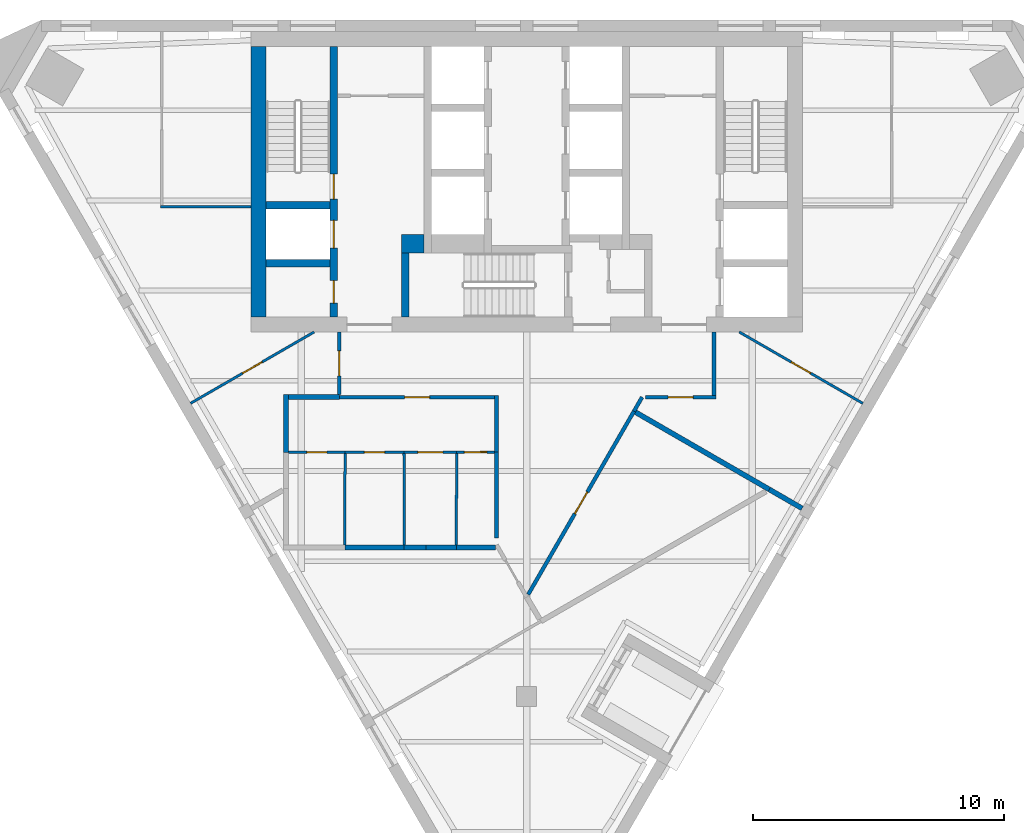
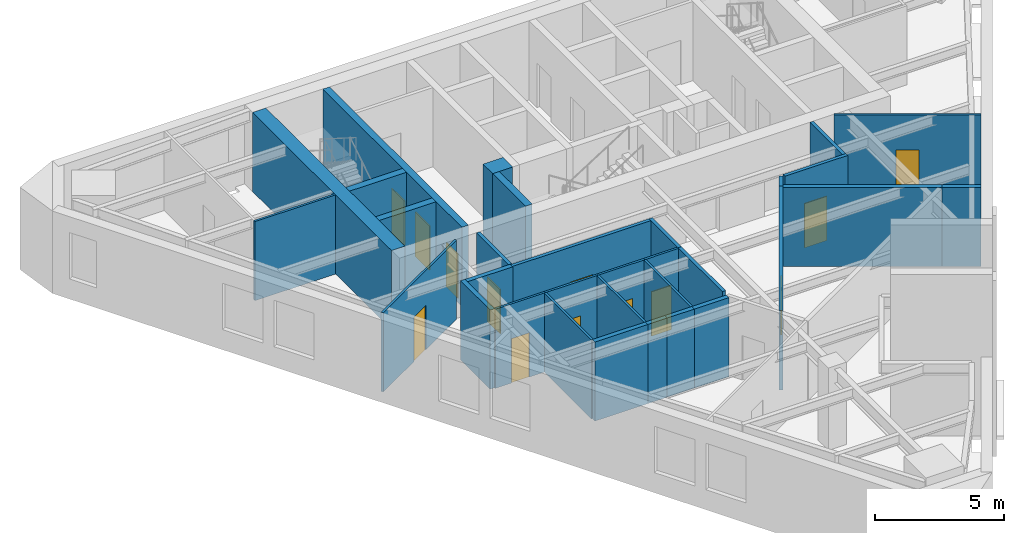
# One storey, part 3 of 7: 32 walls, 13 doors, 13 openings.
"""IFC4 building model written with IfcOpenShell, lengths in metres."""

from ifc_helpers import new_model, si_unit, direction, frame, frame_2d, origin, place, context, subcontext, project, spatial, rectangle, extrude, material, layer, layer_set, type_object, element, fill, save


model = new_model("IFC4")

# Units and contexts
model_context = context("Model", 3, precision=1e-05, world=origin(), true_north=direction((0.0, 1.0)))
body_context = subcontext(model_context, "Body", "Model", "MODEL_VIEW")
ifc_project = project(units=[si_unit("LENGTHUNIT", "METRE"), si_unit("AREAUNIT", "SQUARE_METRE"), si_unit("VOLUMEUNIT", "CUBIC_METRE"), si_unit("PLANEANGLEUNIT", "RADIAN"), si_unit("MASSUNIT", "GRAM", prefix="KILO")], contexts=[model_context])

# Site, building, storey
site_placement = place(None, origin())
site = spatial("IfcSite", under=ifc_project, at=site_placement, CompositionType="ELEMENT")
building_placement = place(site_placement, origin())
building = spatial("IfcBuilding", under=site, at=building_placement, Name="Aloe Facet Convention Tower", CompositionType="ELEMENT")
storey_placement = place(building_placement, frame((0.0, 0.0, 215.300048828125)))
storey = spatial("IfcBuildingStorey", under=building, at=storey_placement, Name="L54", CompositionType="ELEMENT", Elevation=215.300048828125)

# Walls
ifc_material_1 = material(Name="Concrete C50/60", Category="concrete")
ifc_layer_1 = layer(ifc_material_1, 0.300048828125)
ifc_layer_set_1 = layer_set([ifc_layer_1], Name="CR-W-RC300-C5060")
wall_type_1 = type_object("IfcWallType", Name="CR-W-RC300-C5060", PredefinedType="SOLIDWALL", material=ifc_layer_set_1)
for number, where, z_axis, x_axis, name in (
    (1, (69.60009765625, 127.60009765625, 0.0), (0.0, 0.0, 1.0), (1.0, 0.0, 0.0), "Core wall L54-004"),
    (2, (69.60009765625, 125.300048828125, 0.0), (0.0, 0.0, 1.0), (1.0, 0.0, 0.0), "Core wall L54-005"),
):
    element("IfcWall", number, at=place(storey_placement, frame(where, z_axis=z_axis, x_axis=x_axis)), inside=storey, type_object=wall_type_1, Name=name, PredefinedType="SOLIDWALL", context=body_context, shape_type="SweptSolid", body=[
        extrude(rectangle(XDim=2.5498046875, YDim=0.300048828125, at=frame_2d((1.27490234375, 0.0))), origin(), (0.0, 0.0, 1.0), 3.75),
    ])

# Wall, openings, doors
wall_1_placement = place(storey_placement, frame((72.300048828125, 133.949951171875, 0.0), z_axis=(0.0, 0.0, 1.0), x_axis=(0.0, -1.0, 0.0)))
wall_1 = element("IfcWall", 3, at=wall_1_placement, inside=storey, type_object=wall_type_1, Name="Core wall L54-006", PredefinedType="SOLIDWALL", context=body_context, shape_type="SweptSolid", body=[
    extrude(rectangle(XDim=10.800048828125, YDim=0.300048828125, at=frame_2d((5.39990234375, 0.0))), origin(), (0.0, 0.0, 1.0), 3.75),
])
opening_1_placement = place(wall_1_placement, frame((6.949951171875, 0.0, 0.0)))
opening_1 = element("IfcOpeningElement", 4, at=opening_1_placement, cuts=wall_1, Name="Opening LD-FF1-L54", PredefinedType="OPENING", context=body_context, shape_type="SweptSolid", body=[
    extrude(rectangle(XDim=1.10009765625, YDim=2.10009765625, at=frame_2d((0.550048828125, 1.050048828125))), frame((0.0, 0.16015625, 0.0), z_axis=(0.0, -1.0, 0.0), x_axis=(1.0, 0.0, 0.0)), (0.0, 0.0, 1.0), 0.320068359375),
])
opening_2_placement = place(wall_1_placement, frame((9.35009765625, 0.0, 0.0)))
opening_2 = element("IfcOpeningElement", 5, at=opening_2_placement, cuts=wall_1, Name="Opening L54-CD15", PredefinedType="OPENING", context=body_context, shape_type="SweptSolid", body=[
    extrude(rectangle(XDim=0.89990234375, YDim=2.10009765625, at=frame_2d((0.449951171875, 1.050048828125))), frame((0.0, 0.16015625, 0.0), z_axis=(0.0, -1.0, 0.0), x_axis=(1.0, 0.0, 0.0)), (0.0, 0.0, 1.0), 0.320068359375),
])
opening_3_placement = place(wall_1_placement, frame((5.10009765625, 0.0, 0.0)))
opening_3 = element("IfcOpeningElement", 6, at=opening_3_placement, cuts=wall_1, Name="Opening L54-CD16", PredefinedType="OPENING", context=body_context, shape_type="SweptSolid", body=[
    extrude(rectangle(XDim=1.0, YDim=2.10009765625, at=frame_2d((0.5, 1.050048828125))), frame((0.0, 0.16015625, 0.0), z_axis=(0.0, -1.0, 0.0), x_axis=(1.0, 0.0, 0.0)), (0.0, 0.0, 1.0), 0.320068359375),
])
ifc_material_2 = material(Name="Steel fire-resisting door set FD60", Category="steel")
door_type_1 = type_object("IfcDoorType", Name="CR-D-ROOM-900-FD60-SLEFT", OperationType="SINGLE_SWING_LEFT", PredefinedType="DOOR", material=ifc_material_2)
door_1_placement = place(opening_2_placement, origin())
door_1 = element("IfcDoor", 7, at=door_1_placement, inside=storey, type_object=door_type_1, Name="Core door L54-CD15", OperationType="SINGLE_SWING_LEFT", OverallHeight=2.10009765625, OverallWidth=0.89990234375, PredefinedType="DOOR", context=body_context, shape_type="SweptSolid", body=[
    extrude(rectangle(XDim=0.89990234375, YDim=2.10009765625, at=frame_2d((0.449951171875, 1.050048828125))), frame((0.0, 0.02490234375, 0.0), z_axis=(0.0, -1.0, 0.0), x_axis=(1.0, 0.0, 0.0)), (0.0, 0.0, 1.0), 0.050048828125),
])
fill(opening_2, door_1)
ifc_material_3 = material(Name="Steel fire-resisting door set FD120", Category="steel")
door_type_2 = type_object("IfcDoorType", Name="CR-D-STAIR-1000-FD120-SRIGHT", OperationType="SINGLE_SWING_RIGHT", PredefinedType="DOOR", material=ifc_material_3)
door_2_placement = place(opening_3_placement, origin())
door_2 = element("IfcDoor", 8, at=door_2_placement, inside=storey, type_object=door_type_2, Name="Core door L54-CD16", OperationType="SINGLE_SWING_RIGHT", OverallHeight=2.10009765625, OverallWidth=1.0, PredefinedType="DOOR", context=body_context, shape_type="SweptSolid", body=[
    extrude(rectangle(XDim=1.0, YDim=2.10009765625, at=frame_2d((0.5, 1.050048828125))), frame((0.0, 0.02490234375, 0.0), z_axis=(0.0, -1.0, 0.0), x_axis=(1.0, 0.0, 0.0)), (0.0, 0.0, 1.0), 0.050048828125),
])
fill(opening_3, door_2)
ifc_material_4 = material(Name="Stainless steel sliding landing door", Category="steel")
door_type_3 = type_object("IfcDoorType", Name="CR-LD-1100-FD120-_LEFT", OperationType="SLIDING_TO_LEFT", PredefinedType="DOOR", material=ifc_material_4)
door_3_placement = place(opening_1_placement, origin())
door_3 = element("IfcDoor", 9, at=door_3_placement, inside=storey, type_object=door_type_3, Name="Landing door FF1 L54", OperationType="SLIDING_TO_LEFT", OverallHeight=2.10009765625, OverallWidth=1.10009765625, PredefinedType="DOOR", context=body_context, shape_type="SweptSolid", body=[
    extrude(rectangle(XDim=1.10009765625, YDim=2.10009765625, at=frame_2d((0.550048828125, 1.050048828125))), frame((0.0, 0.02490234375, 0.0), z_axis=(0.0, -1.0, 0.0), x_axis=(1.0, 0.0, 0.0)), (0.0, 0.0, 1.0), 0.050048828125),
])
fill(opening_1, door_3)

# Walls
wall_2_placement = place(storey_placement, frame((75.14990234375, 125.699951171875, 0.0), z_axis=(0.0, 0.0, 1.0), x_axis=(0.0, -1.0, 0.0)))
element("IfcWall", 10, at=wall_2_placement, inside=storey, type_object=wall_type_1, Name="Core wall L54-009", PredefinedType="SOLIDWALL", context=body_context, shape_type="SweptSolid", body=[
    extrude(rectangle(XDim=2.550048828125, YDim=0.300048828125, at=frame_2d((1.27490234375, 0.0))), origin(), (0.0, 0.0, 1.0), 3.75),
])
ifc_material_5 = material(Name="Concrete C50/60", Category="concrete")
ifc_layer_2 = layer(ifc_material_5, 0.60009765625)
ifc_layer_set_2 = layer_set([ifc_layer_2], Name="CR-W-RC600-C5060")
wall_type_2 = type_object("IfcWallType", Name="CR-W-RC600-C5060", PredefinedType="SOLIDWALL", material=ifc_layer_set_2)
wall_3_placement = place(storey_placement, frame((69.300048828125, 133.949951171875, 0.0), z_axis=(0.0, 0.0, 1.0), x_axis=(0.0, -1.0, 0.0)))
element("IfcWall", 11, at=wall_3_placement, inside=storey, type_object=wall_type_2, Name="Core wall L54-002", PredefinedType="SOLIDWALL", context=body_context, shape_type="SweptSolid", body=[
    extrude(rectangle(XDim=10.800048828125, YDim=0.60009765625, at=frame_2d((5.39990234375, 0.0))), origin(), (0.0, 0.0, 1.0), 3.75),
])
ifc_material_6 = material(Name="Concrete C50/60", Category="concrete")
ifc_layer_3 = layer(ifc_material_6, 0.75)
ifc_layer_set_3 = layer_set([ifc_layer_3], Name="CR-W-RC750-C5060")
wall_type_3 = type_object("IfcWallType", Name="CR-W-RC750-C5060", PredefinedType="SOLIDWALL", material=ifc_layer_set_3)
wall_4_placement = place(storey_placement, frame((75.0, 126.074951171875, 0.0), z_axis=(0.0, 0.0, 1.0), x_axis=(1.0, 0.0, 0.0)))
element("IfcWall", 12, at=wall_4_placement, inside=storey, type_object=wall_type_3, Name="Core wall L54-008", PredefinedType="SOLIDWALL", context=body_context, shape_type="SweptSolid", body=[
    extrude(rectangle(XDim=0.89990234375, YDim=0.75, at=frame_2d((0.449951171875, 0.0))), origin(), (0.0, 0.0, 1.0), 3.75),
])
ifc_material_7 = material(Name="Gypsum board partition on steel studs", Category="steel")
ifc_layer_4 = layer(ifc_material_7, 0.14990234375)
ifc_layer_set_4 = layer_set([ifc_layer_4], Name="IN-W-CORR")
wall_type_4 = type_object("IfcWallType", Name="IN-W-CORR", PredefinedType="PARTITIONING", material=ifc_layer_set_4)
wall_5_placement = place(storey_placement, frame((78.800048828125, 114.328857421875, 0.0), z_axis=(0.0, 0.0, 1.0), x_axis=(0.0, 1.0, 0.0)))
element("IfcWall", 13, at=wall_5_placement, inside=storey, type_object=wall_type_4, Name="Partition L54-W011", PredefinedType="PARTITIONING", context=body_context, shape_type="SweptSolid", body=[
    extrude(rectangle(XDim=3.43115234375, YDim=0.14990234375, at=frame_2d((1.715576171875, 0.0))), origin(), (0.0, 0.0, 1.0), 3.75),
])
wall_6_placement = place(storey_placement, frame((78.800048828125, 117.760009765625, 0.0), z_axis=(0.0, 0.0, 1.0), x_axis=(0.0, 1.0, 0.0)))
element("IfcWall", 14, at=wall_6_placement, inside=storey, type_object=wall_type_4, Name="Partition L54-W016", PredefinedType="PARTITIONING", context=body_context, shape_type="SweptSolid", body=[
    extrude(rectangle(XDim=2.262939453125, YDim=0.14990234375, at=frame_2d((1.13134765625, 0.0))), origin(), (0.0, 0.0, 1.0), 3.75),
])

# Wall, opening, door
wall_7_placement = place(storey_placement, frame((80.06005859375, 112.074462890625, 0.0), z_axis=(0.0, 0.0, 1.0), x_axis=(0.500005339912, 0.866022320763, 0.0)))
wall_7 = element("IfcWall", 15, at=wall_7_placement, inside=storey, type_object=wall_type_4, Name="Partition L54-W025", PredefinedType="PARTITIONING", context=body_context, shape_type="SweptSolid", body=[
    extrude(rectangle(XDim=8.44189453125, YDim=0.14990234375, at=frame_2d((4.220947265625, 0.0))), origin(), (0.0, 0.0, 1.0), 3.75),
])
opening_4_placement = place(wall_7_placement, frame((3.720947265625, 0.0, 0.0)))
opening_4 = element("IfcOpeningElement", 16, at=opening_4_placement, cuts=wall_7, Name="Opening L54-011", PredefinedType="OPENING", context=body_context, shape_type="SweptSolid", body=[
    extrude(rectangle(XDim=1.0, YDim=2.10009765625, at=frame_2d((0.5, 1.050048828125))), frame((0.0, 0.0849609375, 0.0), z_axis=(0.0, -1.0, 0.0), x_axis=(1.0, 0.0, 0.0)), (0.0, 0.0, 1.0), 0.169921875),
])
ifc_material_8 = material(Name="Timber door FD30S with vision panel", Category="wood")
door_type_4 = type_object("IfcDoorType", Name="IN-OFF-D-ENTRY", OperationType="SINGLE_SWING_LEFT", PredefinedType="DOOR", material=ifc_material_8)
door_4_placement = place(opening_4_placement, origin())
door_4 = element("IfcDoor", 17, at=door_4_placement, inside=storey, type_object=door_type_4, Name="Door L54-011", OperationType="SINGLE_SWING_LEFT", OverallHeight=2.10009765625, OverallWidth=1.0, PredefinedType="DOOR", context=body_context, shape_type="SweptSolid", body=[
    extrude(rectangle(XDim=1.0, YDim=2.10009765625, at=frame_2d((0.5, 1.050048828125))), frame((0.0, 0.02490234375, 0.0), z_axis=(0.0, -1.0, 0.0), x_axis=(1.0, 0.0, 0.0)), (0.0, 0.0, 1.0), 0.050048828125),
])
fill(opening_4, door_4)

# Wall
wall_8_placement = place(storey_placement, frame((84.281005859375, 119.38525390625, 0.0), z_axis=(0.0, 0.0, 1.0), x_axis=(0.499971370958, 0.866041932139, 0.0)))
element("IfcWall", 18, at=wall_8_placement, inside=storey, type_object=wall_type_4, Name="Partition L54-W028", PredefinedType="PARTITIONING", context=body_context, shape_type="SweptSolid", body=[
    extrude(rectangle(XDim=0.65087890625, YDim=0.14990234375, at=frame_2d((0.325439453125, 0.0))), origin(), (0.0, 0.0, 1.0), 3.75),
])

# Wall, opening, door
wall_9_placement = place(storey_placement, frame((72.52490234375, 120.050048828125, 0.0), z_axis=(0.0, 0.0, 1.0), x_axis=(0.0, 1.0, 0.0)))
wall_9 = element("IfcWall", 19, at=wall_9_placement, inside=storey, type_object=wall_type_4, Name="Partition L54-W031", PredefinedType="PARTITIONING", context=body_context, shape_type="SweptSolid", body=[
    extrude(rectangle(XDim=2.5, YDim=0.14990234375, at=frame_2d((1.25, 0.0))), origin(), (0.0, 0.0, 1.0), 3.75),
])
opening_5_placement = place(wall_9_placement, frame((0.75, 0.0, 0.0)))
opening_5 = element("IfcOpeningElement", 20, at=opening_5_placement, cuts=wall_9, Name="Opening L54-009", PredefinedType="OPENING", context=body_context, shape_type="SweptSolid", body=[
    extrude(rectangle(XDim=1.0, YDim=2.10009765625, at=frame_2d((0.5, 1.050048828125))), frame((0.0, 0.0849609375, 0.0), z_axis=(0.0, -1.0, 0.0), x_axis=(1.0, 0.0, 0.0)), (0.0, 0.0, 1.0), 0.169921875),
])
door_5_placement = place(opening_5_placement, origin())
door_5 = element("IfcDoor", 21, at=door_5_placement, inside=storey, type_object=door_type_4, Name="Door L54-009", OperationType="SINGLE_SWING_LEFT", OverallHeight=2.10009765625, OverallWidth=1.0, PredefinedType="DOOR", context=body_context, shape_type="SweptSolid", body=[
    extrude(rectangle(XDim=1.0, YDim=2.10009765625, at=frame_2d((0.5, 1.050048828125))), frame((0.0, 0.02490234375, 0.0), z_axis=(0.0, -1.0, 0.0), x_axis=(1.0, 0.0, 0.0)), (0.0, 0.0, 1.0), 0.050048828125),
])
fill(opening_5, door_5)

wall_10_placement = place(storey_placement, frame((72.52490234375, 119.949951171875, 0.0), z_axis=(0.0, 0.0, 1.0), x_axis=(0.999999950384, -0.000315010222, 0.0)))
wall_10 = element("IfcWall", 22, at=wall_10_placement, inside=storey, type_object=wall_type_4, Name="Partition L54-W032", PredefinedType="PARTITIONING", context=body_context, shape_type="SweptSolid", body=[
    extrude(rectangle(XDim=6.2001953125, YDim=0.14990234375, at=frame_2d((3.10009765625, 0.0))), origin(), (0.0, 0.0, 1.0), 3.75),
])
opening_6_placement = place(wall_10_placement, frame((2.60009765625, 0.0, 0.0)))
opening_6 = element("IfcOpeningElement", 23, at=opening_6_placement, cuts=wall_10, Name="Opening L54-001", PredefinedType="OPENING", context=body_context, shape_type="SweptSolid", body=[
    extrude(rectangle(XDim=1.0, YDim=2.10009765625, at=frame_2d((0.5, 1.050048828125))), frame((0.0, 0.0849609375, 0.0), z_axis=(0.0, -1.0, 0.0), x_axis=(1.0, 0.0, 0.0)), (0.0, 0.0, 1.0), 0.169921875),
])
door_6_placement = place(opening_6_placement, origin())
door_6 = element("IfcDoor", 24, at=door_6_placement, inside=storey, type_object=door_type_4, Name="Door L54-001", OperationType="SINGLE_SWING_LEFT", OverallHeight=2.10009765625, OverallWidth=1.0, PredefinedType="DOOR", context=body_context, shape_type="SweptSolid", body=[
    extrude(rectangle(XDim=1.0, YDim=2.10009765625, at=frame_2d((0.5, 1.050048828125))), frame((0.0, 0.02490234375, 0.0), z_axis=(0.0, -1.0, 0.0), x_axis=(1.0, 0.0, 0.0)), (0.0, 0.0, 1.0), 0.050048828125),
])
fill(opening_6, door_6)

wall_11_placement = place(storey_placement, frame((84.736328125, 119.948974609375, 0.0), z_axis=(0.0, 0.0, 1.0), x_axis=(0.999999939771, 0.000347071563, 0.0)))
wall_11 = element("IfcWall", 25, at=wall_11_placement, inside=storey, type_object=wall_type_4, Name="Partition L54-W033", PredefinedType="PARTITIONING", context=body_context, shape_type="SweptSolid", body=[
    extrude(rectangle(XDim=2.813720703125, YDim=0.14990234375, at=frame_2d((1.40673828125, 0.0))), origin(), (0.0, 0.0, 1.0), 3.75),
])
opening_7_placement = place(wall_11_placement, frame((0.90673828125, 0.0, 0.0)))
opening_7 = element("IfcOpeningElement", 26, at=opening_7_placement, cuts=wall_11, Name="Opening L54-012", PredefinedType="OPENING", context=body_context, shape_type="SweptSolid", body=[
    extrude(rectangle(XDim=1.0, YDim=2.10009765625, at=frame_2d((0.5, 1.050048828125))), frame((0.0, 0.0849609375, 0.0), z_axis=(0.0, -1.0, 0.0), x_axis=(1.0, 0.0, 0.0)), (0.0, 0.0, 1.0), 0.169921875),
])
door_7_placement = place(opening_7_placement, origin())
door_7 = element("IfcDoor", 27, at=door_7_placement, inside=storey, type_object=door_type_4, Name="Door L54-012", OperationType="SINGLE_SWING_LEFT", OverallHeight=2.10009765625, OverallWidth=1.0, PredefinedType="DOOR", context=body_context, shape_type="SweptSolid", body=[
    extrude(rectangle(XDim=1.0, YDim=2.10009765625, at=frame_2d((0.5, 1.050048828125))), frame((0.0, 0.02490234375, 0.0), z_axis=(0.0, -1.0, 0.0), x_axis=(1.0, 0.0, 0.0)), (0.0, 0.0, 1.0), 0.050048828125),
])
fill(opening_7, door_7)

# Walls
wall_12_placement = place(storey_placement, frame((87.474853515625, 120.02490234375, 0.0), z_axis=(0.0, 0.0, 1.0), x_axis=(9.6683747e-05, 0.999999995326, 0.0)))
element("IfcWall", 28, at=wall_12_placement, inside=storey, type_object=wall_type_4, Name="Partition L54-W034", PredefinedType="PARTITIONING", context=body_context, shape_type="SweptSolid", body=[
    extrude(rectangle(XDim=2.525146484375, YDim=0.14990234375, at=frame_2d((1.2626953125, 0.0))), origin(), (0.0, 0.0, 1.0), 3.75),
])
ifc_material_9 = material(Name="Gypsum board partition on steel studs", Category="steel")
ifc_layer_5 = layer(ifc_material_9, 0.10009765625)
ifc_layer_set_5 = layer_set([ifc_layer_5], Name="IN-W-PART")
wall_type_5 = type_object("IfcWallType", Name="IN-W-PART", PredefinedType="PARTITIONING", material=ifc_layer_set_5)
wall_13_placement = place(storey_placement, frame((72.7421875, 114.047119140625, 0.0), z_axis=(0.0, 0.0, 1.0), x_axis=(0.002673429826, 0.99999642638, 0.0)))
element("IfcWall", 29, at=wall_13_placement, inside=storey, type_object=wall_type_5, Name="Partition L54-W017", PredefinedType="PARTITIONING", context=body_context, shape_type="SweptSolid", body=[
    extrude(rectangle(XDim=3.65283203125, YDim=0.10009765625, at=frame_2d((1.826416015625, 0.0))), origin(), (0.0, 0.0, 1.0), 3.75),
])

# Wall, opening, door
wall_14_placement = place(storey_placement, frame((70.5, 117.75, 0.0), z_axis=(0.0, 0.0, 1.0), x_axis=(1.0, 0.0, 0.0)))
wall_14 = element("IfcWall", 30, at=wall_14_placement, inside=storey, type_object=wall_type_5, Name="Partition L54-W018", PredefinedType="PARTITIONING", context=body_context, shape_type="SweptSolid", body=[
    extrude(rectangle(XDim=2.251953125, YDim=0.10009765625, at=frame_2d((1.1259765625, 0.0))), origin(), (0.0, 0.0, 1.0), 3.75),
])
opening_8_placement = place(wall_14_placement, frame((0.72607421875, 0.0, 0.0)))
opening_8 = element("IfcOpeningElement", 31, at=opening_8_placement, cuts=wall_14, Name="Opening L54-002", PredefinedType="OPENING", context=body_context, shape_type="SweptSolid", body=[
    extrude(rectangle(XDim=0.800048828125, YDim=2.10009765625, at=frame_2d((0.39990234375, 1.050048828125))), frame((0.0, 0.06005859375, 0.0), z_axis=(0.0, -1.0, 0.0), x_axis=(1.0, 0.0, 0.0)), (0.0, 0.0, 1.0), 0.1201171875),
])
ifc_material_10 = material(Name="Timber door", Category="wood")
door_type_5 = type_object("IfcDoorType", Name="IN-OFF-D-WC", OperationType="SINGLE_SWING_LEFT", PredefinedType="DOOR", material=ifc_material_10)
door_8_placement = place(opening_8_placement, origin())
door_8 = element("IfcDoor", 32, at=door_8_placement, inside=storey, type_object=door_type_5, Name="Door L54-002", OperationType="SINGLE_SWING_LEFT", OverallHeight=2.10009765625, OverallWidth=0.800048828125, PredefinedType="DOOR", context=body_context, shape_type="SweptSolid", body=[
    extrude(rectangle(XDim=0.800048828125, YDim=2.10009765625, at=frame_2d((0.39990234375, 1.050048828125))), frame((0.0, 0.02490234375, 0.0), z_axis=(0.0, -1.0, 0.0), x_axis=(1.0, 0.0, 0.0)), (0.0, 0.0, 1.0), 0.050048828125),
])
fill(opening_8, door_8)

# Wall
wall_15_placement = place(storey_placement, frame((75.11376953125, 114.047119140625, 0.0), z_axis=(0.0, 0.0, 1.0), x_axis=(-0.00260659454, 0.999996602827, 0.0)))
element("IfcWall", 33, at=wall_15_placement, inside=storey, type_object=wall_type_5, Name="Partition L54-W019", PredefinedType="PARTITIONING", context=body_context, shape_type="SweptSolid", body=[
    extrude(rectangle(XDim=3.65283203125, YDim=0.10009765625, at=frame_2d((1.826416015625, 0.0))), origin(), (0.0, 0.0, 1.0), 3.75),
])

# Wall, opening, door
wall_16_placement = place(storey_placement, frame((72.751953125, 117.75, 0.0), z_axis=(0.0, 0.0, 1.0), x_axis=(1.0, 0.0, 0.0)))
wall_16 = element("IfcWall", 34, at=wall_16_placement, inside=storey, type_object=wall_type_5, Name="Partition L54-W020", PredefinedType="PARTITIONING", context=body_context, shape_type="SweptSolid", body=[
    extrude(rectangle(XDim=2.35205078125, YDim=0.10009765625, at=frame_2d((1.176025390625, 0.0))), origin(), (0.0, 0.0, 1.0), 3.75),
])
opening_9_placement = place(wall_16_placement, frame((0.77587890625, 0.0, 0.0)))
opening_9 = element("IfcOpeningElement", 35, at=opening_9_placement, cuts=wall_16, Name="Opening L54-003", PredefinedType="OPENING", context=body_context, shape_type="SweptSolid", body=[
    extrude(rectangle(XDim=0.800048828125, YDim=2.10009765625, at=frame_2d((0.39990234375, 1.050048828125))), frame((0.0, 0.06005859375, 0.0), z_axis=(0.0, -1.0, 0.0), x_axis=(1.0, 0.0, 0.0)), (0.0, 0.0, 1.0), 0.1201171875),
])
door_9_placement = place(opening_9_placement, origin())
door_9 = element("IfcDoor", 36, at=door_9_placement, inside=storey, type_object=door_type_5, Name="Door L54-003", OperationType="SINGLE_SWING_LEFT", OverallHeight=2.10009765625, OverallWidth=0.800048828125, PredefinedType="DOOR", context=body_context, shape_type="SweptSolid", body=[
    extrude(rectangle(XDim=0.800048828125, YDim=2.10009765625, at=frame_2d((0.39990234375, 1.050048828125))), frame((0.0, 0.02490234375, 0.0), z_axis=(0.0, -1.0, 0.0), x_axis=(1.0, 0.0, 0.0)), (0.0, 0.0, 1.0), 0.050048828125),
])
fill(opening_9, door_9)

# Wall
wall_17_placement = place(storey_placement, frame((77.1943359375, 114.050048828125, 0.0), z_axis=(0.0, 0.0, 1.0), x_axis=(0.002608686776, 0.999996597371, 0.0)))
element("IfcWall", 37, at=wall_17_placement, inside=storey, type_object=wall_type_5, Name="Partition L54-W021", PredefinedType="PARTITIONING", context=body_context, shape_type="SweptSolid", body=[
    extrude(rectangle(XDim=3.64990234375, YDim=0.10009765625, at=frame_2d((1.824951171875, 0.0))), origin(), (0.0, 0.0, 1.0), 3.75),
])

# Wall, opening, door
wall_18_placement = place(storey_placement, frame((75.10400390625, 117.75, 0.0), z_axis=(0.0, 0.0, 1.0), x_axis=(1.0, 0.0, 0.0)))
wall_18 = element("IfcWall", 38, at=wall_18_placement, inside=storey, type_object=wall_type_5, Name="Partition L54-W022", PredefinedType="PARTITIONING", context=body_context, shape_type="SweptSolid", body=[
    extrude(rectangle(XDim=2.10009765625, YDim=0.10009765625, at=frame_2d((1.050048828125, 0.0))), origin(), (0.0, 0.0, 1.0), 3.75),
])
opening_10_placement = place(wall_18_placement, frame((0.550048828125, 0.0, 0.0)))
opening_10 = element("IfcOpeningElement", 39, at=opening_10_placement, cuts=wall_18, Name="Opening L54-004", PredefinedType="OPENING", context=body_context, shape_type="SweptSolid", body=[
    extrude(rectangle(XDim=1.0, YDim=2.10009765625, at=frame_2d((0.5, 1.050048828125))), frame((0.0, 0.06005859375, 0.0), z_axis=(0.0, -1.0, 0.0), x_axis=(1.0, 0.0, 0.0)), (0.0, 0.0, 1.0), 0.1201171875),
])
ifc_material_11 = material(Name="Timber door", Category="wood")
door_type_6 = type_object("IfcDoorType", Name="IN-OFF-D-WIDE", OperationType="SINGLE_SWING_LEFT", PredefinedType="DOOR", material=ifc_material_11)
door_10_placement = place(opening_10_placement, origin())
door_10 = element("IfcDoor", 40, at=door_10_placement, inside=storey, type_object=door_type_6, Name="Door L54-004", OperationType="SINGLE_SWING_LEFT", OverallHeight=2.10009765625, OverallWidth=1.0, PredefinedType="DOOR", context=body_context, shape_type="SweptSolid", body=[
    extrude(rectangle(XDim=1.0, YDim=2.10009765625, at=frame_2d((0.5, 1.050048828125))), frame((0.0, 0.02490234375, 0.0), z_axis=(0.0, -1.0, 0.0), x_axis=(1.0, 0.0, 0.0)), (0.0, 0.0, 1.0), 0.050048828125),
])
fill(opening_10, door_10)

wall_19_placement = place(storey_placement, frame((77.2041015625, 117.75, 0.0), z_axis=(0.0, 0.0, 1.0), x_axis=(0.999980406575, 0.006259909447, 0.0)))
wall_19 = element("IfcWall", 41, at=wall_19_placement, inside=storey, type_object=wall_type_5, Name="Partition L54-W023", PredefinedType="PARTITIONING", context=body_context, shape_type="SweptSolid", body=[
    extrude(rectangle(XDim=1.52099609375, YDim=0.10009765625, at=frame_2d((0.760498046875, 0.0))), origin(), (0.0, 0.0, 1.0), 3.75),
])
opening_11_placement = place(wall_19_placement, frame((0.310546875, 0.0, 0.0)))
opening_11 = element("IfcOpeningElement", 42, at=opening_11_placement, cuts=wall_19, Name="Opening L54-005", PredefinedType="OPENING", context=body_context, shape_type="SweptSolid", body=[
    extrude(rectangle(XDim=0.89990234375, YDim=2.10009765625, at=frame_2d((0.449951171875, 1.050048828125))), frame((0.0, 0.06005859375, 0.0), z_axis=(0.0, -1.0, 0.0), x_axis=(1.0, 0.0, 0.0)), (0.0, 0.0, 1.0), 0.1201171875),
])
ifc_material_12 = material(Name="Timber door", Category="wood")
door_type_7 = type_object("IfcDoorType", Name="IN-OFF-D-ROOM", OperationType="SINGLE_SWING_LEFT", PredefinedType="DOOR", material=ifc_material_12)
door_11_placement = place(opening_11_placement, origin())
door_11 = element("IfcDoor", 43, at=door_11_placement, inside=storey, type_object=door_type_7, Name="Door L54-005", OperationType="SINGLE_SWING_LEFT", OverallHeight=2.10009765625, OverallWidth=0.89990234375, PredefinedType="DOOR", context=body_context, shape_type="SweptSolid", body=[
    extrude(rectangle(XDim=0.89990234375, YDim=2.10009765625, at=frame_2d((0.449951171875, 1.050048828125))), frame((0.0, 0.02490234375, 0.0), z_axis=(0.0, -1.0, 0.0), x_axis=(1.0, 0.0, 0.0)), (0.0, 0.0, 1.0), 0.050048828125),
])
fill(opening_11, door_11)

wall_20_placement = place(storey_placement, frame((66.5869140625, 119.702880859375, 0.0), z_axis=(0.0, 0.0, 1.0), x_axis=(0.866023511746, 0.500003277092, 0.0)))
wall_20 = element("IfcWall", 44, at=wall_20_placement, inside=storey, type_object=wall_type_5, Name="Partition L54-W026", PredefinedType="PARTITIONING", context=body_context, shape_type="SweptSolid", body=[
    extrude(rectangle(XDim=5.6943359375, YDim=0.10009765625, at=frame_2d((2.84716796875, 0.0))), origin(), (0.0, 0.0, 1.0), 3.75),
])
opening_12_placement = place(wall_20_placement, frame((2.397216796875, 0.0, 0.0)))
opening_12 = element("IfcOpeningElement", 45, at=opening_12_placement, cuts=wall_20, Name="Opening L54-008", PredefinedType="OPENING", context=body_context, shape_type="SweptSolid", body=[
    extrude(rectangle(XDim=0.89990234375, YDim=2.10009765625, at=frame_2d((0.449951171875, 1.050048828125))), frame((0.0, 0.06005859375, 0.0), z_axis=(0.0, -1.0, 0.0), x_axis=(1.0, 0.0, 0.0)), (0.0, 0.0, 1.0), 0.1201171875),
])
door_12_placement = place(opening_12_placement, origin())
door_12 = element("IfcDoor", 46, at=door_12_placement, inside=storey, type_object=door_type_7, Name="Door L54-008", OperationType="SINGLE_SWING_LEFT", OverallHeight=2.10009765625, OverallWidth=0.89990234375, PredefinedType="DOOR", context=body_context, shape_type="SweptSolid", body=[
    extrude(rectangle(XDim=0.89990234375, YDim=2.10009765625, at=frame_2d((0.449951171875, 1.050048828125))), frame((0.0, 0.02490234375, 0.0), z_axis=(0.0, -1.0, 0.0), x_axis=(1.0, 0.0, 0.0)), (0.0, 0.0, 1.0), 0.050048828125),
])
fill(opening_12, door_12)

wall_21_placement = place(storey_placement, frame((88.481689453125, 122.550048828125, 0.0), z_axis=(0.0, 0.0, 1.0), x_axis=(0.866023511746, -0.500003277092, 0.0)))
wall_21 = element("IfcWall", 47, at=wall_21_placement, inside=storey, type_object=wall_type_5, Name="Partition L54-W027", PredefinedType="PARTITIONING", context=body_context, shape_type="SweptSolid", body=[
    extrude(rectangle(XDim=5.6943359375, YDim=0.10009765625, at=frame_2d((2.84716796875, 0.0))), origin(), (0.0, 0.0, 1.0), 3.75),
])
opening_13_placement = place(wall_21_placement, frame((2.397216796875, 0.0, 0.0)))
opening_13 = element("IfcOpeningElement", 48, at=opening_13_placement, cuts=wall_21, Name="Opening L54-013", PredefinedType="OPENING", context=body_context, shape_type="SweptSolid", body=[
    extrude(rectangle(XDim=0.89990234375, YDim=2.10009765625, at=frame_2d((0.449951171875, 1.050048828125))), frame((0.0, 0.06005859375, 0.0), z_axis=(0.0, -1.0, 0.0), x_axis=(1.0, 0.0, 0.0)), (0.0, 0.0, 1.0), 0.1201171875),
])
door_13_placement = place(opening_13_placement, origin())
door_13 = element("IfcDoor", 49, at=door_13_placement, inside=storey, type_object=door_type_7, Name="Door L54-013", OperationType="SINGLE_SWING_LEFT", OverallHeight=2.10009765625, OverallWidth=0.89990234375, PredefinedType="DOOR", context=body_context, shape_type="SweptSolid", body=[
    extrude(rectangle(XDim=0.89990234375, YDim=2.10009765625, at=frame_2d((0.449951171875, 1.050048828125))), frame((0.0, 0.02490234375, 0.0), z_axis=(0.0, -1.0, 0.0), x_axis=(1.0, 0.0, 0.0)), (0.0, 0.0, 1.0), 0.050048828125),
])
fill(opening_13, door_13)

# Walls
wall_22_placement = place(storey_placement, frame((65.39013671875, 127.550048828125, 0.0), z_axis=(0.0, 0.0, 1.0), x_axis=(0.99999967067, -0.000811578253, 0.0)))
element("IfcWall", 50, at=wall_22_placement, inside=storey, type_object=wall_type_5, Name="Partition L54-W036", PredefinedType="PARTITIONING", context=body_context, shape_type="SweptSolid", body=[
    extrude(rectangle(XDim=3.60986328125, YDim=0.10009765625, at=frame_2d((1.804931640625, 0.0))), origin(), (0.0, 0.0, 1.0), 3.75),
])
ifc_material_13 = material(Name="Gypsum board partition on steel studs", Category="steel")
ifc_layer_6 = layer(ifc_material_13, 0.199951171875)
ifc_layer_set_6 = layer_set([ifc_layer_6], Name="IN-W-PARTY")
wall_type_6 = type_object("IfcWallType", Name="IN-W-PARTY", PredefinedType="PARTITIONING", material=ifc_layer_set_6)
wall_23_placement = place(storey_placement, frame((72.741943359375, 113.947021484375, 0.0), z_axis=(0.0, 0.0, 1.0), x_axis=(1.0, 0.0, 0.0)))
element("IfcWall", 51, at=wall_23_placement, inside=storey, type_object=wall_type_6, Name="Partition L54-W006", PredefinedType="PARTITIONING", context=body_context, shape_type="SweptSolid", body=[
    extrude(rectangle(XDim=2.3720703125, YDim=0.199951171875, at=frame_2d((1.18603515625, 0.0))), origin(), (0.0, 0.0, 1.0), 3.75),
])
wall_24_placement = place(storey_placement, frame((75.114013671875, 113.947021484375, 0.0), z_axis=(0.0, 0.0, 1.0), x_axis=(1.0, 0.0, 0.0)))
element("IfcWall", 52, at=wall_24_placement, inside=storey, type_object=wall_type_6, Name="Partition L54-W007", PredefinedType="PARTITIONING", context=body_context, shape_type="SweptSolid", body=[
    extrude(rectangle(XDim=0.862060546875, YDim=0.199951171875, at=frame_2d((0.43115234375, 0.0))), origin(), (0.0, 0.0, 1.0), 3.75),
])
wall_25_placement = place(storey_placement, frame((75.97607421875, 113.947021484375, 0.0), z_axis=(0.0, 0.0, 1.0), x_axis=(0.999997107299, 0.002405284684, 0.0)))
element("IfcWall", 53, at=wall_25_placement, inside=storey, type_object=wall_type_6, Name="Partition L54-W008", PredefinedType="PARTITIONING", context=body_context, shape_type="SweptSolid", body=[
    extrude(rectangle(XDim=1.218017578125, YDim=0.199951171875, at=frame_2d((0.60888671875, 0.0))), origin(), (0.0, 0.0, 1.0), 3.75),
])
wall_26_placement = place(storey_placement, frame((77.194091796875, 113.949951171875, 0.0), z_axis=(0.0, 0.0, 1.0), x_axis=(1.0, 0.0, 0.0)))
element("IfcWall", 54, at=wall_26_placement, inside=storey, type_object=wall_type_6, Name="Partition L54-W009", PredefinedType="PARTITIONING", context=body_context, shape_type="SweptSolid", body=[
    extrude(rectangle(XDim=1.553955078125, YDim=0.199951171875, at=frame_2d((0.77685546875, 0.0))), origin(), (0.0, 0.0, 1.0), 3.75),
])
wall_27_placement = place(storey_placement, frame((89.682373046875, 116.266845703125, 0.0), z_axis=(0.0, 0.0, 1.0), x_axis=(0.866000172474, -0.500043699366, 0.0)))
element("IfcWall", 55, at=wall_27_placement, inside=storey, type_object=wall_type_6, Name="Partition L54-W013", PredefinedType="PARTITIONING", context=body_context, shape_type="SweptSolid", body=[
    extrude(rectangle(XDim=1.512939453125, YDim=0.199951171875, at=frame_2d((0.75634765625, 0.0))), origin(), (0.0, 0.0, 1.0), 3.75),
])
wall_28_placement = place(storey_placement, frame((84.345947265625, 119.34765625, 0.0), z_axis=(0.0, 0.0, 1.0), x_axis=(0.866037793621, -0.49997853956, 0.0)))
element("IfcWall", 56, at=wall_28_placement, inside=storey, type_object=wall_type_6, Name="Partition L54-W014", PredefinedType="PARTITIONING", context=body_context, shape_type="SweptSolid", body=[
    extrude(rectangle(XDim=6.161865234375, YDim=0.199951171875, at=frame_2d((3.0810546875, 0.0))), origin(), (0.0, 0.0, 1.0), 3.75),
])
wall_29_placement = place(storey_placement, frame((70.39990234375, 117.75, 0.0), z_axis=(0.0, 0.0, 1.0), x_axis=(0.0, 1.0, 0.0)))
element("IfcWall", 57, at=wall_29_placement, inside=storey, type_object=wall_type_6, Name="Partition L54-W029", PredefinedType="PARTITIONING", context=body_context, shape_type="SweptSolid", body=[
    extrude(rectangle(XDim=2.300048828125, YDim=0.199951171875, at=frame_2d((1.14990234375, 0.0))), origin(), (0.0, 0.0, 1.0), 3.75),
])
wall_30_placement = place(storey_placement, frame((70.5, 119.949951171875, 0.0), z_axis=(0.0, 0.0, 1.0), x_axis=(1.0, 0.0, 0.0)))
element("IfcWall", 58, at=wall_30_placement, inside=storey, type_object=wall_type_6, Name="Partition L54-W030", PredefinedType="PARTITIONING", context=body_context, shape_type="SweptSolid", body=[
    extrude(rectangle(XDim=2.02490234375, YDim=0.199951171875, at=frame_2d((1.012451171875, 0.0))), origin(), (0.0, 0.0, 1.0), 3.75),
])

save(model, "model.ifc")
